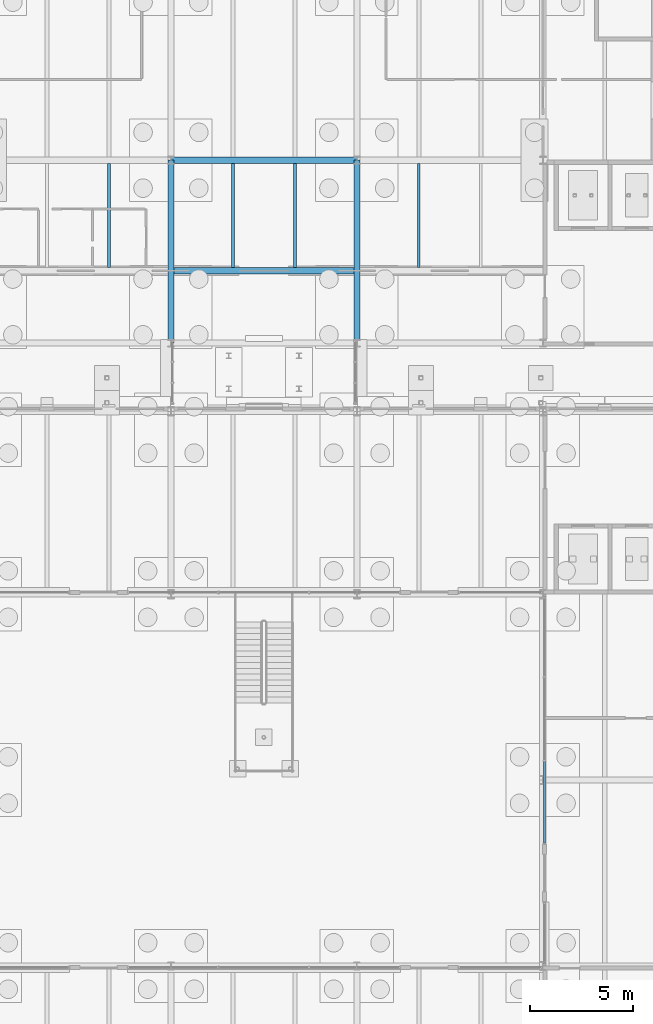
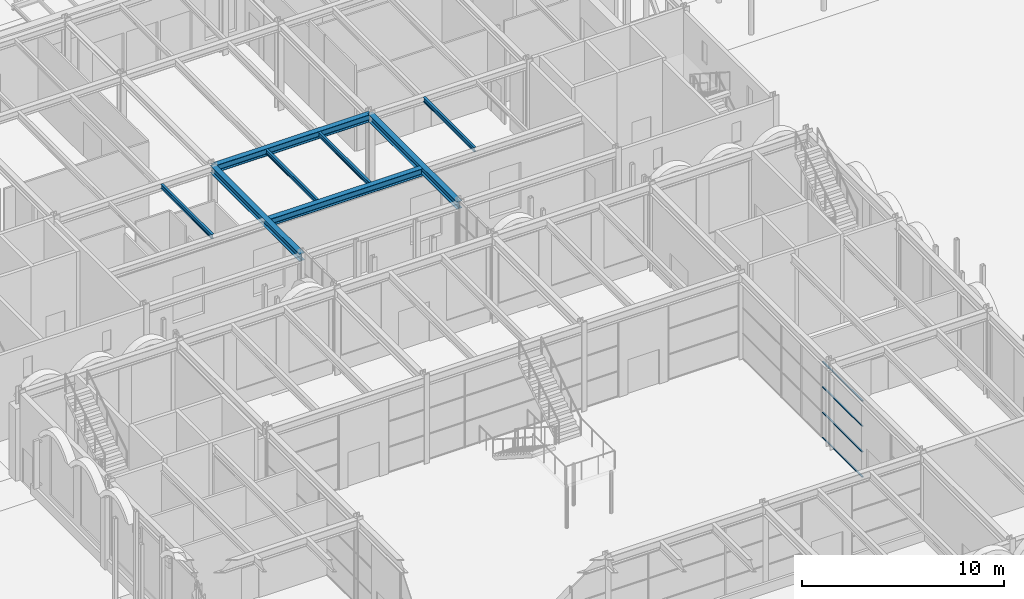
# One storey, part 49 of 126: 8 beams, 4 members, 1 element without a shape of its own.
"""IFC4 building model written with IfcOpenShell, lengths in metres."""

from ifc_helpers import new_model, si_unit, direction, frame, origin, origin_2d, place, context, subcontext, project, spatial, hollow_rectangle, i_section, extrude, material, material_profile, profile_set, type_object, element, aggregate, save


model = new_model("IFC4")

# Units and contexts
model_context = context("Model", 3, precision=1e-05, world=origin(), true_north=direction((0.0, 1.0)))
body_context = subcontext(model_context, "Body", "Model", "MODEL_VIEW")
ifc_project = project(units=[si_unit("LENGTHUNIT", "METRE"), si_unit("AREAUNIT", "SQUARE_METRE"), si_unit("VOLUMEUNIT", "CUBIC_METRE"), si_unit("PLANEANGLEUNIT", "RADIAN"), si_unit("MASSUNIT", "GRAM", prefix="KILO")], contexts=[model_context])

# Site, building, storey
site_placement = place(None, origin())
site = spatial("IfcSite", under=ifc_project, at=site_placement, CompositionType="ELEMENT")
building_placement = place(site_placement, origin())
building = spatial("IfcBuilding", under=site, at=building_placement, Name="Kallimachos Central Library", CompositionType="ELEMENT")
storey_placement = place(building_placement, origin())
storey = spatial("IfcBuildingStorey", under=building, at=storey_placement, Name="L00", CompositionType="ELEMENT", Elevation=0.0)

# Curtain wall, members
ifc_material_1 = material(Name="Aluminium and laminated glass", Category="aluminium")
curtain_wall_type = type_object("IfcCurtainWallType", Name="Atrium glazed screen", PredefinedType="NOTDEFINED", material=ifc_material_1)
curtain_wall_placement = place(storey_placement, origin())
curtain_wall = element("IfcCurtainWall", 1, at=curtain_wall_placement, inside=storey, type_object=curtain_wall_type, Name="L00 atrium screen E", PredefinedType="NOTDEFINED")
ifc_material_2 = material(Name="Anodised aluminium", Category="aluminium")
ifc_material_profile_1 = material_profile(ifc_material_2, hollow_rectangle(XDim=0.06005859375, YDim=0.080078125, WallThickness=0.00390625, at=origin_2d()), Name="ALU TRANSOM 60x80")
ifc_profile_set_1 = profile_set([ifc_material_profile_1], Name="Anodised aluminium")
member_type = type_object("IfcMemberType", Name="Atrium screen transom", PredefinedType="USERDEFINED", material=ifc_profile_set_1)
member_1_placement = place(storey_placement, frame((101.580078125, 62.9599609375, 0.030029296875), z_axis=(0.0, 1.0, 0.0), x_axis=(0.0, 0.0, 1.0)))
member_1 = element("IfcMember", 2, at=member_1_placement, type_object=member_type, Name="CW transom 1.1", ObjectType="TRANSOM", PredefinedType="USERDEFINED", context=body_context, shape_type="SweptSolid", body=[
    extrude(hollow_rectangle(XDim=0.06005859375, YDim=0.080078125, WallThickness=0.00390625, at=origin_2d()), origin(), (0.0, 0.0, 1.0), 3.943359375),
])
member_2_placement = place(storey_placement, frame((101.580078125, 62.9599609375, 1.550048828125), z_axis=(0.0, 1.0, 0.0), x_axis=(0.0, 0.0, 1.0)))
member_2 = element("IfcMember", 3, at=member_2_placement, type_object=member_type, Name="CW transom 1.2", ObjectType="TRANSOM", PredefinedType="USERDEFINED", context=body_context, shape_type="SweptSolid", body=[
    extrude(hollow_rectangle(XDim=0.06005859375, YDim=0.080078125, WallThickness=0.00390625, at=origin_2d()), origin(), (0.0, 0.0, 1.0), 3.943359375),
])
member_3_placement = place(storey_placement, frame((101.580078125, 62.9599609375, 3.10009765625), z_axis=(0.0, 1.0, 0.0), x_axis=(0.0, 0.0, 1.0)))
member_3 = element("IfcMember", 4, at=member_3_placement, type_object=member_type, Name="CW transom 1.3", ObjectType="TRANSOM", PredefinedType="USERDEFINED", context=body_context, shape_type="SweptSolid", body=[
    extrude(hollow_rectangle(XDim=0.06005859375, YDim=0.080078125, WallThickness=0.00390625, at=origin_2d()), origin(), (0.0, 0.0, 1.0), 3.943359375),
])
member_4_placement = place(storey_placement, frame((101.580078125, 62.9599609375, 4.6201171875), z_axis=(0.0, 1.0, 0.0), x_axis=(0.0, 0.0, 1.0)))
member_4 = element("IfcMember", 5, at=member_4_placement, type_object=member_type, Name="CW transom 1.4", ObjectType="TRANSOM", PredefinedType="USERDEFINED", context=body_context, shape_type="SweptSolid", body=[
    extrude(hollow_rectangle(XDim=0.06005859375, YDim=0.080078125, WallThickness=0.00390625, at=origin_2d()), origin(), (0.0, 0.0, 1.0), 3.943359375),
])
aggregate(curtain_wall, [member_1, member_2, member_3, member_4])

# Beams
ifc_material_3 = material(Name="Steel S355J2", Category="steel")
ifc_material_profile_2 = material_profile(ifc_material_3, i_section(OverallWidth=0.300048828125, OverallDepth=0.43994140625, WebThickness=0.011474609375, FlangeThickness=0.02099609375, FilletRadius=0.027099609375, at=origin_2d()), Name="HEA 450")
ifc_profile_set_2 = profile_set([ifc_material_profile_2], Name="Steel S355J2")
beam_type_1 = type_object("IfcBeamType", Name="HEA 450 beam", PredefinedType="BEAM", material=ifc_profile_set_2)
for number, where, z_axis, x_axis, name in (
    (6, (83.5, 87.14990234375, 4.97998046875), (0.0, 1.0, 0.0), (-1.0, 0.0, 0.0), "V1-BEM-L00-005"),
    (7, (92.5, 87.14990234375, 4.97998046875), (0.0, 1.0, 0.0), (-1.0, 0.0, 0.0), "V1-BEM-L00-008"),
):
    element("IfcBeam", number, at=place(storey_placement, frame(where, z_axis=z_axis, x_axis=x_axis)), inside=storey, type_object=beam_type_1, Name=name, PredefinedType="BEAM", context=body_context, shape_type="SweptSolid", body=[
        extrude(i_section(OverallWidth=0.300048828125, OverallDepth=0.43994140625, WebThickness=0.011474609375, FlangeThickness=0.02099609375, FilletRadius=0.027099609375, at=origin_2d()), origin(), (0.0, 0.0, 1.0), 8.85009765625),
    ])
beam_1_placement = place(storey_placement, frame((83.5, 96.0, 4.97998046875), z_axis=(1.0, 0.0, 0.0), x_axis=(0.0, 1.0, 0.0)))
element("IfcBeam", 8, at=beam_1_placement, inside=storey, type_object=beam_type_1, Name="V1-BEM-L00-019", PredefinedType="BEAM", context=body_context, shape_type="SweptSolid", body=[
    extrude(i_section(OverallWidth=0.300048828125, OverallDepth=0.43994140625, WebThickness=0.011474609375, FlangeThickness=0.02099609375, FilletRadius=0.027099609375, at=origin_2d()), origin(), (0.0, 0.0, 1.0), 9.0),
])
beam_2_placement = place(storey_placement, frame((83.64990234375, 90.64990234375, 4.97998046875), z_axis=(1.0, 0.0, 0.0), x_axis=(0.0, 1.0, 0.0)))
element("IfcBeam", 9, at=beam_2_placement, inside=storey, type_object=beam_type_1, Name="V1-BEM-L00-032", PredefinedType="BEAM", context=body_context, shape_type="SweptSolid", body=[
    extrude(i_section(OverallWidth=0.300048828125, OverallDepth=0.43994140625, WebThickness=0.011474609375, FlangeThickness=0.02099609375, FilletRadius=0.027099609375, at=origin_2d()), origin(), (0.0, 0.0, 1.0), 8.7001953125),
])
ifc_material_4 = material(Name="Steel S355J2", Category="steel")
ifc_material_profile_3 = material_profile(ifc_material_4, i_section(OverallWidth=0.135009765625, OverallDepth=0.27001953125, WebThickness=0.006591796875, FlangeThickness=0.01025390625, FilletRadius=0.014892578125, at=origin_2d()), Name="IPE 270")
ifc_profile_set_3 = profile_set([ifc_material_profile_3], Name="Steel S355J2")
beam_type_2 = type_object("IfcBeamType", Name="IPE 270 beam", PredefinedType="BEAM", material=ifc_profile_set_3)
for number, where, z_axis, x_axis, name in (
    (10, (80.5, 90.800048828125, 5.06494140625), (0.0, 1.0, 0.0), (-1.0, 0.0, 0.0), "V1-BEM-L00-038"),
    (11, (86.5, 90.800048828125, 5.06494140625), (0.0, 1.0, 0.0), (-1.0, 0.0, 0.0), "V1-BEM-L00-041"),
    (12, (89.5, 90.800048828125, 5.06494140625), (0.0, 1.0, 0.0), (-1.0, 0.0, 0.0), "V1-BEM-L00-044"),
    (13, (95.5, 90.800048828125, 5.06494140625), (0.0, 1.0, 0.0), (-1.0, 0.0, 0.0), "V1-BEM-L00-047"),
):
    element("IfcBeam", number, at=place(storey_placement, frame(where, z_axis=z_axis, x_axis=x_axis)), inside=storey, type_object=beam_type_2, Name=name, PredefinedType="BEAM", context=body_context, shape_type="SweptSolid", body=[
        extrude(i_section(OverallWidth=0.135009765625, OverallDepth=0.27001953125, WebThickness=0.006591796875, FlangeThickness=0.01025390625, FilletRadius=0.014892578125, at=origin_2d()), origin(), (0.0, 0.0, 1.0), 5.050048828125),
    ])

save(model, "model.ifc")
